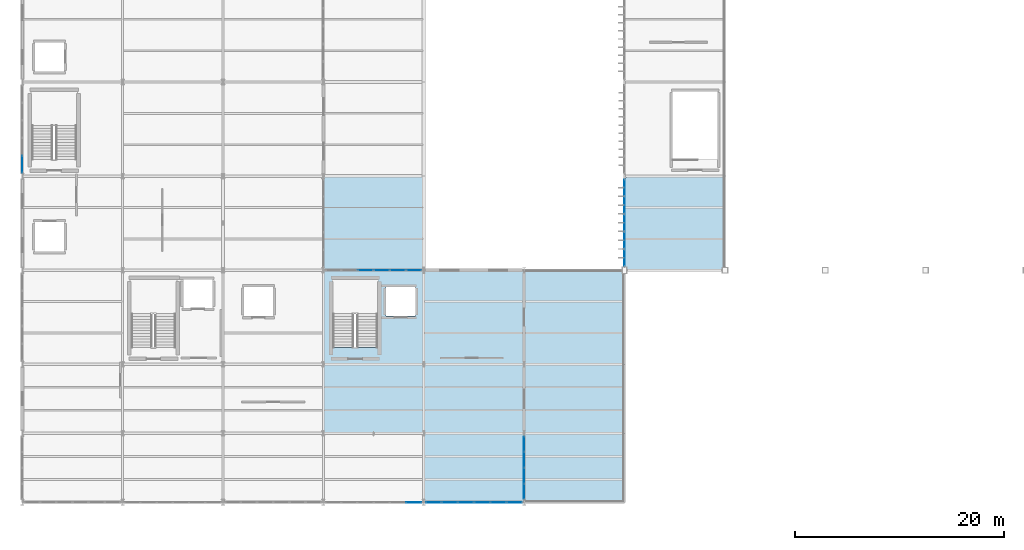
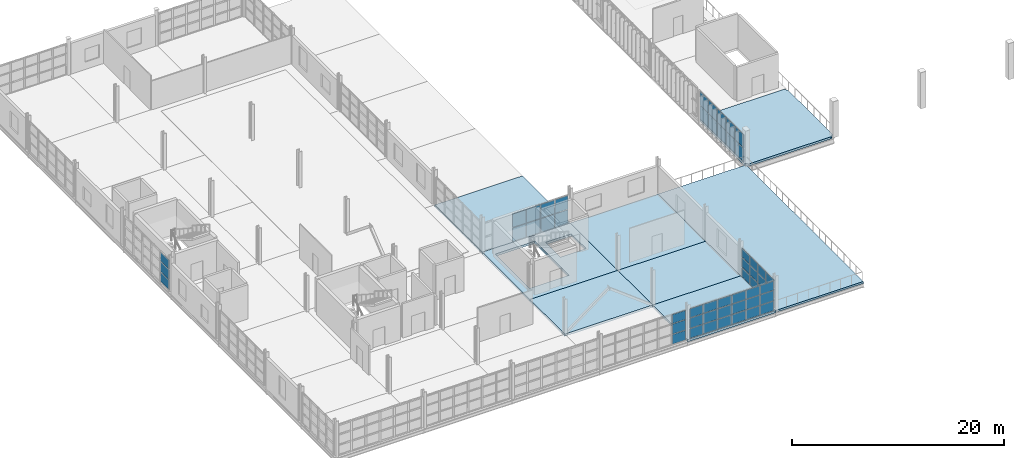
# One storey, part 50 of 82: 54 plates, 8 slabs, 6 elements without a shape of their own.
"""IFC4 building model written with IfcOpenShell, lengths in metres."""

from ifc_helpers import new_model, si_unit, direction, frame, origin, origin_2d, place, context, subcontext, project, spatial, polyline, rectangle, outline, extrude, material, layer, layer_set, type_object, element, aggregate, save


model = new_model("IFC4")

# Units and contexts
model_context = context("Model", 3, precision=1e-05, world=origin(), true_north=direction((0.0, 1.0)))
body_context = subcontext(model_context, "Body", "Model", "MODEL_VIEW")
ifc_project = project(units=[si_unit("LENGTHUNIT", "METRE"), si_unit("AREAUNIT", "SQUARE_METRE"), si_unit("VOLUMEUNIT", "CUBIC_METRE"), si_unit("PLANEANGLEUNIT", "RADIAN"), si_unit("MASSUNIT", "GRAM", prefix="KILO")], contexts=[model_context])

# Site, building, storey
site_placement = place(None, origin())
site = spatial("IfcSite", under=ifc_project, at=site_placement, CompositionType="ELEMENT")
building_placement = place(site_placement, origin())
building = spatial("IfcBuilding", under=site, at=building_placement, Name="Zarnetskaya Central Station", CompositionType="ELEMENT")
storey_placement = place(building_placement, frame((0.0, 0.0, 10.199951171875)))
storey = spatial("IfcBuildingStorey", under=building, at=storey_placement, Name="L02", CompositionType="ELEMENT", Elevation=10.199951171875)

# Curtain wall, plates
ifc_material_1 = material(Name="Low-E insulated glass", Category="glass")
ifc_layer_1 = layer(ifc_material_1, 0.159912109375, Name="Low-E insulated glass", Category="glass")
ifc_layer_set_1 = layer_set([ifc_layer_1], Name="Low-E insulated glass")
curtain_wall_type_1 = type_object("IfcCurtainWallType", Name="CW-SYS-06", PredefinedType="USERDEFINED", material=ifc_layer_set_1)
curtain_wall_1_placement = place(storey_placement, origin())
curtain_wall_1 = element("IfcCurtainWall", 1, at=curtain_wall_1_placement, inside=storey, type_object=curtain_wall_type_1, Name="Curtain wall CW-L02-025", ObjectType="CURTAIN WALL", PredefinedType="USERDEFINED")
ifc_layer_2 = layer(ifc_material_1, 0.028076171875, Name="Low-E insulated glass", Category="glass")
ifc_layer_set_2 = layer_set([ifc_layer_2], Name="Low-E insulated glass")
plate_type_1 = type_object("IfcPlateType", Name="CW-PAN-28", PredefinedType="CURTAIN_PANEL", material=ifc_layer_set_2)
plate_1_placement = place(storey_placement, frame((48.0, 5.5732421875, 0.06982421875), z_axis=(0.0, 0.0, 1.0), x_axis=(0.0, -1.0, 0.0)))
plate_1 = element("IfcPlate", 2, at=plate_1_placement, type_object=plate_type_1, Name="CW-02 panel 1.1", PredefinedType="CURTAIN_PANEL", context=body_context, shape_type="SweptSolid", body=[
    extrude(rectangle(XDim=1.413818359375, YDim=0.028076171875, at=origin_2d()), origin(), (0.0, 0.0, 1.0), 1.068115234375),
])
plate_2_placement = place(storey_placement, frame((48.0, 5.5732421875, 1.2080078125), z_axis=(0.0, 0.0, 1.0), x_axis=(0.0, -1.0, 0.0)))
plate_2 = element("IfcPlate", 3, at=plate_2_placement, type_object=plate_type_1, Name="CW-02 panel 1.2", PredefinedType="CURTAIN_PANEL", context=body_context, shape_type="SweptSolid", body=[
    extrude(rectangle(XDim=1.413818359375, YDim=0.028076171875, at=origin_2d()), origin(), (0.0, 0.0, 1.0), 1.10302734375),
])
plate_3_placement = place(storey_placement, frame((48.0, 5.5732421875, 2.381103515625), z_axis=(0.0, 0.0, 1.0), x_axis=(0.0, -1.0, 0.0)))
plate_3 = element("IfcPlate", 4, at=plate_3_placement, type_object=plate_type_1, Name="CW-02 panel 1.3", PredefinedType="CURTAIN_PANEL", context=body_context, shape_type="SweptSolid", body=[
    extrude(rectangle(XDim=1.413818359375, YDim=0.028076171875, at=origin_2d()), origin(), (0.0, 0.0, 1.0), 0.9990234375),
])
plate_4_placement = place(storey_placement, frame((48.0, 4.07177734375, 0.06982421875), z_axis=(0.0, 0.0, 1.0), x_axis=(0.0, -1.0, 0.0)))
plate_4 = element("IfcPlate", 5, at=plate_4_placement, type_object=plate_type_1, Name="CW-02 panel 2.1", PredefinedType="CURTAIN_PANEL", context=body_context, shape_type="SweptSolid", body=[
    extrude(rectangle(XDim=1.44873046875, YDim=0.028076171875, at=origin_2d()), origin(), (0.0, 0.0, 1.0), 1.068115234375),
])
plate_5_placement = place(storey_placement, frame((48.0, 4.07177734375, 1.2080078125), z_axis=(0.0, 0.0, 1.0), x_axis=(0.0, -1.0, 0.0)))
plate_5 = element("IfcPlate", 6, at=plate_5_placement, type_object=plate_type_1, Name="CW-02 panel 2.2", PredefinedType="CURTAIN_PANEL", context=body_context, shape_type="SweptSolid", body=[
    extrude(rectangle(XDim=1.44873046875, YDim=0.028076171875, at=origin_2d()), origin(), (0.0, 0.0, 1.0), 1.10302734375),
])
plate_6_placement = place(storey_placement, frame((48.0, 4.07177734375, 2.381103515625), z_axis=(0.0, 0.0, 1.0), x_axis=(0.0, -1.0, 0.0)))
plate_6 = element("IfcPlate", 7, at=plate_6_placement, type_object=plate_type_1, Name="CW-02 panel 2.3", PredefinedType="CURTAIN_PANEL", context=body_context, shape_type="SweptSolid", body=[
    extrude(rectangle(XDim=1.44873046875, YDim=0.028076171875, at=origin_2d()), origin(), (0.0, 0.0, 1.0), 0.9990234375),
])
plate_7_placement = place(storey_placement, frame((48.0, 2.55322265625, 0.06982421875), z_axis=(0.0, 0.0, 1.0), x_axis=(0.0, -1.0, 0.0)))
plate_7 = element("IfcPlate", 8, at=plate_7_placement, type_object=plate_type_1, Name="CW-02 panel 3.1", PredefinedType="CURTAIN_PANEL", context=body_context, shape_type="SweptSolid", body=[
    extrude(rectangle(XDim=1.44873046875, YDim=0.028076171875, at=origin_2d()), origin(), (0.0, 0.0, 1.0), 1.068115234375),
])
plate_8_placement = place(storey_placement, frame((48.0, 2.55322265625, 1.2080078125), z_axis=(0.0, 0.0, 1.0), x_axis=(0.0, -1.0, 0.0)))
plate_8 = element("IfcPlate", 9, at=plate_8_placement, type_object=plate_type_1, Name="CW-02 panel 3.2", PredefinedType="CURTAIN_PANEL", context=body_context, shape_type="SweptSolid", body=[
    extrude(rectangle(XDim=1.44873046875, YDim=0.028076171875, at=origin_2d()), origin(), (0.0, 0.0, 1.0), 1.10302734375),
])
plate_9_placement = place(storey_placement, frame((48.0, 2.55322265625, 2.381103515625), z_axis=(0.0, 0.0, 1.0), x_axis=(0.0, -1.0, 0.0)))
plate_9 = element("IfcPlate", 10, at=plate_9_placement, type_object=plate_type_1, Name="CW-02 panel 3.3", PredefinedType="CURTAIN_PANEL", context=body_context, shape_type="SweptSolid", body=[
    extrude(rectangle(XDim=1.44873046875, YDim=0.028076171875, at=origin_2d()), origin(), (0.0, 0.0, 1.0), 0.9990234375),
])
plate_10_placement = place(storey_placement, frame((48.0, 1.0517578125, 0.06982421875), z_axis=(0.0, 0.0, 1.0), x_axis=(0.0, -1.0, 0.0)))
plate_10 = element("IfcPlate", 11, at=plate_10_placement, type_object=plate_type_1, Name="CW-02 panel 4.1", PredefinedType="CURTAIN_PANEL", context=body_context, shape_type="SweptSolid", body=[
    extrude(rectangle(XDim=1.413818359375, YDim=0.028076171875, at=origin_2d()), origin(), (0.0, 0.0, 1.0), 1.068115234375),
])
plate_11_placement = place(storey_placement, frame((48.0, 1.0517578125, 1.2080078125), z_axis=(0.0, 0.0, 1.0), x_axis=(0.0, -1.0, 0.0)))
plate_11 = element("IfcPlate", 12, at=plate_11_placement, type_object=plate_type_1, Name="CW-02 panel 4.2", PredefinedType="CURTAIN_PANEL", context=body_context, shape_type="SweptSolid", body=[
    extrude(rectangle(XDim=1.413818359375, YDim=0.028076171875, at=origin_2d()), origin(), (0.0, 0.0, 1.0), 1.10302734375),
])
plate_12_placement = place(storey_placement, frame((48.0, 1.0517578125, 2.381103515625), z_axis=(0.0, 0.0, 1.0), x_axis=(0.0, -1.0, 0.0)))
plate_12 = element("IfcPlate", 13, at=plate_12_placement, type_object=plate_type_1, Name="CW-02 panel 4.3", PredefinedType="CURTAIN_PANEL", context=body_context, shape_type="SweptSolid", body=[
    extrude(rectangle(XDim=1.413818359375, YDim=0.028076171875, at=origin_2d()), origin(), (0.0, 0.0, 1.0), 0.9990234375),
])
aggregate(curtain_wall_1, [plate_1, plate_2, plate_3, plate_4, plate_5, plate_6, plate_7, plate_8, plate_9, plate_10, plate_11, plate_12])

ifc_layer_3 = layer(ifc_material_1, 0.172119140625, Name="Low-E insulated glass", Category="glass")
ifc_layer_set_3 = layer_set([ifc_layer_3], Name="Low-E insulated glass")
curtain_wall_type_2 = type_object("IfcCurtainWallType", Name="CW-SYS-04", PredefinedType="USERDEFINED", material=ifc_layer_set_3)
curtain_wall_2_placement = place(storey_placement, origin())
curtain_wall_2 = element("IfcCurtainWall", 14, at=curtain_wall_2_placement, inside=storey, type_object=curtain_wall_type_2, Name="Curtain wall CW-L02-026", ObjectType="CURTAIN WALL", PredefinedType="USERDEFINED")
ifc_layer_4 = layer(ifc_material_1, 0.031982421875, Name="Low-E insulated glass", Category="glass")
ifc_layer_set_4 = layer_set([ifc_layer_4], Name="Low-E insulated glass")
plate_type_2 = type_object("IfcPlateType", Name="CW-PAN-32", PredefinedType="CURTAIN_PANEL", material=ifc_layer_set_4)
plate_13_placement = place(storey_placement, frame((47.054931640625, 0.0, 0.080078125), z_axis=(0.0, 0.0, 1.0), x_axis=(-1.0, 0.0, 0.0)))
plate_13 = element("IfcPlate", 15, at=plate_13_placement, type_object=plate_type_2, Name="CW-15 panel 1.1", PredefinedType="CURTAIN_PANEL", context=body_context, shape_type="SweptSolid", body=[
    extrude(rectangle(XDim=1.429931640625, YDim=0.031982421875, at=origin_2d()), origin(), (0.0, 0.0, 1.0), 1.0869140625),
])
plate_14_placement = place(storey_placement, frame((47.054931640625, 0.0, 1.2470703125), z_axis=(0.0, 0.0, 1.0), x_axis=(-1.0, 0.0, 0.0)))
plate_14 = element("IfcPlate", 16, at=plate_14_placement, type_object=plate_type_2, Name="CW-15 panel 1.2", PredefinedType="CURTAIN_PANEL", context=body_context, shape_type="SweptSolid", body=[
    extrude(rectangle(XDim=1.429931640625, YDim=0.031982421875, at=origin_2d()), origin(), (0.0, 0.0, 1.0), 1.126953125),
])
plate_15_placement = place(storey_placement, frame((47.054931640625, 0.0, 2.4541015625), z_axis=(0.0, 0.0, 1.0), x_axis=(-1.0, 0.0, 0.0)))
plate_15 = element("IfcPlate", 17, at=plate_15_placement, type_object=plate_type_2, Name="CW-15 panel 1.3", PredefinedType="CURTAIN_PANEL", context=body_context, shape_type="SweptSolid", body=[
    extrude(rectangle(XDim=1.429931640625, YDim=0.031982421875, at=origin_2d()), origin(), (0.0, 0.0, 1.0), 1.01611328125),
])
plate_16_placement = place(storey_placement, frame((45.52490234375, 0.0, 0.080078125), z_axis=(0.0, 0.0, 1.0), x_axis=(-1.0, 0.0, 0.0)))
plate_16 = element("IfcPlate", 18, at=plate_16_placement, type_object=plate_type_2, Name="CW-15 panel 2.1", PredefinedType="CURTAIN_PANEL", context=body_context, shape_type="SweptSolid", body=[
    extrude(rectangle(XDim=1.469970703125, YDim=0.031982421875, at=origin_2d()), origin(), (0.0, 0.0, 1.0), 1.0869140625),
])
plate_17_placement = place(storey_placement, frame((45.52490234375, 0.0, 1.2470703125), z_axis=(0.0, 0.0, 1.0), x_axis=(-1.0, 0.0, 0.0)))
plate_17 = element("IfcPlate", 19, at=plate_17_placement, type_object=plate_type_2, Name="CW-15 panel 2.2", PredefinedType="CURTAIN_PANEL", context=body_context, shape_type="SweptSolid", body=[
    extrude(rectangle(XDim=1.469970703125, YDim=0.031982421875, at=origin_2d()), origin(), (0.0, 0.0, 1.0), 1.126953125),
])
plate_18_placement = place(storey_placement, frame((45.52490234375, 0.0, 2.4541015625), z_axis=(0.0, 0.0, 1.0), x_axis=(-1.0, 0.0, 0.0)))
plate_18 = element("IfcPlate", 20, at=plate_18_placement, type_object=plate_type_2, Name="CW-15 panel 2.3", PredefinedType="CURTAIN_PANEL", context=body_context, shape_type="SweptSolid", body=[
    extrude(rectangle(XDim=1.469970703125, YDim=0.031982421875, at=origin_2d()), origin(), (0.0, 0.0, 1.0), 1.01611328125),
])
plate_19_placement = place(storey_placement, frame((43.97509765625, 0.0, 0.080078125), z_axis=(0.0, 0.0, 1.0), x_axis=(-1.0, 0.0, 0.0)))
plate_19 = element("IfcPlate", 21, at=plate_19_placement, type_object=plate_type_2, Name="CW-15 panel 3.1", PredefinedType="CURTAIN_PANEL", context=body_context, shape_type="SweptSolid", body=[
    extrude(rectangle(XDim=1.469970703125, YDim=0.031982421875, at=origin_2d()), origin(), (0.0, 0.0, 1.0), 1.0869140625),
])
plate_20_placement = place(storey_placement, frame((43.97509765625, 0.0, 1.2470703125), z_axis=(0.0, 0.0, 1.0), x_axis=(-1.0, 0.0, 0.0)))
plate_20 = element("IfcPlate", 22, at=plate_20_placement, type_object=plate_type_2, Name="CW-15 panel 3.2", PredefinedType="CURTAIN_PANEL", context=body_context, shape_type="SweptSolid", body=[
    extrude(rectangle(XDim=1.469970703125, YDim=0.031982421875, at=origin_2d()), origin(), (0.0, 0.0, 1.0), 1.126953125),
])
plate_21_placement = place(storey_placement, frame((43.97509765625, 0.0, 2.4541015625), z_axis=(0.0, 0.0, 1.0), x_axis=(-1.0, 0.0, 0.0)))
plate_21 = element("IfcPlate", 23, at=plate_21_placement, type_object=plate_type_2, Name="CW-15 panel 3.3", PredefinedType="CURTAIN_PANEL", context=body_context, shape_type="SweptSolid", body=[
    extrude(rectangle(XDim=1.469970703125, YDim=0.031982421875, at=origin_2d()), origin(), (0.0, 0.0, 1.0), 1.01611328125),
])
plate_22_placement = place(storey_placement, frame((42.425048828125, 0.0, 0.080078125), z_axis=(0.0, 0.0, 1.0), x_axis=(-1.0, 0.0, 0.0)))
plate_22 = element("IfcPlate", 24, at=plate_22_placement, type_object=plate_type_2, Name="CW-15 panel 4.1", PredefinedType="CURTAIN_PANEL", context=body_context, shape_type="SweptSolid", body=[
    extrude(rectangle(XDim=1.469970703125, YDim=0.031982421875, at=origin_2d()), origin(), (0.0, 0.0, 1.0), 1.0869140625),
])
plate_23_placement = place(storey_placement, frame((42.425048828125, 0.0, 1.2470703125), z_axis=(0.0, 0.0, 1.0), x_axis=(-1.0, 0.0, 0.0)))
plate_23 = element("IfcPlate", 25, at=plate_23_placement, type_object=plate_type_2, Name="CW-15 panel 4.2", PredefinedType="CURTAIN_PANEL", context=body_context, shape_type="SweptSolid", body=[
    extrude(rectangle(XDim=1.469970703125, YDim=0.031982421875, at=origin_2d()), origin(), (0.0, 0.0, 1.0), 1.126953125),
])
plate_24_placement = place(storey_placement, frame((42.425048828125, 0.0, 2.4541015625), z_axis=(0.0, 0.0, 1.0), x_axis=(-1.0, 0.0, 0.0)))
plate_24 = element("IfcPlate", 26, at=plate_24_placement, type_object=plate_type_2, Name="CW-15 panel 4.3", PredefinedType="CURTAIN_PANEL", context=body_context, shape_type="SweptSolid", body=[
    extrude(rectangle(XDim=1.469970703125, YDim=0.031982421875, at=origin_2d()), origin(), (0.0, 0.0, 1.0), 1.01611328125),
])
plate_25_placement = place(storey_placement, frame((40.875, 0.0, 0.080078125), z_axis=(0.0, 0.0, 1.0), x_axis=(-1.0, 0.0, 0.0)))
plate_25 = element("IfcPlate", 27, at=plate_25_placement, type_object=plate_type_2, Name="CW-15 panel 5.1", PredefinedType="CURTAIN_PANEL", context=body_context, shape_type="SweptSolid", body=[
    extrude(rectangle(XDim=1.469970703125, YDim=0.031982421875, at=origin_2d()), origin(), (0.0, 0.0, 1.0), 1.0869140625),
])
plate_26_placement = place(storey_placement, frame((40.875, 0.0, 1.2470703125), z_axis=(0.0, 0.0, 1.0), x_axis=(-1.0, 0.0, 0.0)))
plate_26 = element("IfcPlate", 28, at=plate_26_placement, type_object=plate_type_2, Name="CW-15 panel 5.2", PredefinedType="CURTAIN_PANEL", context=body_context, shape_type="SweptSolid", body=[
    extrude(rectangle(XDim=1.469970703125, YDim=0.031982421875, at=origin_2d()), origin(), (0.0, 0.0, 1.0), 1.126953125),
])
plate_27_placement = place(storey_placement, frame((40.875, 0.0, 2.4541015625), z_axis=(0.0, 0.0, 1.0), x_axis=(-1.0, 0.0, 0.0)))
plate_27 = element("IfcPlate", 29, at=plate_27_placement, type_object=plate_type_2, Name="CW-15 panel 5.3", PredefinedType="CURTAIN_PANEL", context=body_context, shape_type="SweptSolid", body=[
    extrude(rectangle(XDim=1.469970703125, YDim=0.031982421875, at=origin_2d()), origin(), (0.0, 0.0, 1.0), 1.01611328125),
])
plate_28_placement = place(storey_placement, frame((39.344970703125, 0.0, 0.080078125), z_axis=(0.0, 0.0, 1.0), x_axis=(-1.0, 0.0, 0.0)))
plate_28 = element("IfcPlate", 30, at=plate_28_placement, type_object=plate_type_2, Name="CW-15 panel 6.1", PredefinedType="CURTAIN_PANEL", context=body_context, shape_type="SweptSolid", body=[
    extrude(rectangle(XDim=1.429931640625, YDim=0.031982421875, at=origin_2d()), origin(), (0.0, 0.0, 1.0), 1.0869140625),
])
plate_29_placement = place(storey_placement, frame((39.344970703125, 0.0, 1.2470703125), z_axis=(0.0, 0.0, 1.0), x_axis=(-1.0, 0.0, 0.0)))
plate_29 = element("IfcPlate", 31, at=plate_29_placement, type_object=plate_type_2, Name="CW-15 panel 6.2", PredefinedType="CURTAIN_PANEL", context=body_context, shape_type="SweptSolid", body=[
    extrude(rectangle(XDim=1.429931640625, YDim=0.031982421875, at=origin_2d()), origin(), (0.0, 0.0, 1.0), 1.126953125),
])
plate_30_placement = place(storey_placement, frame((39.344970703125, 0.0, 2.4541015625), z_axis=(0.0, 0.0, 1.0), x_axis=(-1.0, 0.0, 0.0)))
plate_30 = element("IfcPlate", 32, at=plate_30_placement, type_object=plate_type_2, Name="CW-15 panel 6.3", PredefinedType="CURTAIN_PANEL", context=body_context, shape_type="SweptSolid", body=[
    extrude(rectangle(XDim=1.429931640625, YDim=0.031982421875, at=origin_2d()), origin(), (0.0, 0.0, 1.0), 1.01611328125),
])
aggregate(curtain_wall_2, [plate_13, plate_14, plate_15, plate_16, plate_17, plate_18, plate_19, plate_20, plate_21, plate_22, plate_23, plate_24, plate_25, plate_26, plate_27, plate_28, plate_29, plate_30])

ifc_layer_5 = layer(ifc_material_1, 0.16796875, Name="Low-E insulated glass", Category="glass")
ifc_layer_set_5 = layer_set([ifc_layer_5], Name="Low-E insulated glass")
curtain_wall_type_3 = type_object("IfcCurtainWallType", Name="CW-SYS-08", PredefinedType="USERDEFINED", material=ifc_layer_set_5)
curtain_wall_3_placement = place(storey_placement, origin())
curtain_wall_3 = element("IfcCurtainWall", 33, at=curtain_wall_3_placement, inside=storey, type_object=curtain_wall_type_3, Name="Curtain wall CW-L02-017", ObjectType="CURTAIN WALL", PredefinedType="USERDEFINED")
ifc_layer_6 = layer(ifc_material_1, 0.035888671875, Name="Low-E insulated glass", Category="glass")
ifc_layer_set_6 = layer_set([ifc_layer_6], Name="Low-E insulated glass")
plate_type_3 = type_object("IfcPlateType", Name="CW-PAN-36", PredefinedType="CURTAIN_PANEL", material=ifc_layer_set_6)
plate_31_placement = place(storey_placement, frame((0.0, 32.33740234375, 0.070068359375), z_axis=(0.0, 0.0, 1.0), x_axis=(0.0, 1.0, 0.0)))
plate_31 = element("IfcPlate", 34, at=plate_31_placement, type_object=plate_type_3, Name="CW-16 panel 1.1", PredefinedType="CURTAIN_PANEL", context=body_context, shape_type="SweptSolid", body=[
    extrude(rectangle(XDim=1.5849609375, YDim=0.035888671875, at=origin_2d()), origin(), (0.0, 0.0, 1.0), 1.10205078125),
])
plate_32_placement = place(storey_placement, frame((0.0, 32.33740234375, 1.2421875), z_axis=(0.0, 0.0, 1.0), x_axis=(0.0, 1.0, 0.0)))
plate_32 = element("IfcPlate", 35, at=plate_32_placement, type_object=plate_type_3, Name="CW-16 panel 1.2", PredefinedType="CURTAIN_PANEL", context=body_context, shape_type="SweptSolid", body=[
    extrude(rectangle(XDim=1.5849609375, YDim=0.035888671875, at=origin_2d()), origin(), (0.0, 0.0, 1.0), 1.136962890625),
])
plate_33_placement = place(storey_placement, frame((0.0, 32.33740234375, 2.44921875), z_axis=(0.0, 0.0, 1.0), x_axis=(0.0, 1.0, 0.0)))
plate_33 = element("IfcPlate", 36, at=plate_33_placement, type_object=plate_type_3, Name="CW-16 panel 1.3", PredefinedType="CURTAIN_PANEL", context=body_context, shape_type="SweptSolid", body=[
    extrude(rectangle(XDim=1.5849609375, YDim=0.035888671875, at=origin_2d()), origin(), (0.0, 0.0, 1.0), 1.031005859375),
])
aggregate(curtain_wall_3, [plate_31, plate_32, plate_33])

ifc_layer_7 = layer(ifc_material_1, 0.176025390625, Name="Low-E insulated glass", Category="glass")
ifc_layer_set_7 = layer_set([ifc_layer_7], Name="Low-E insulated glass")
curtain_wall_type_4 = type_object("IfcCurtainWallType", Name="CW-SYS-05", PredefinedType="USERDEFINED", material=ifc_layer_set_7)
curtain_wall_4_placement = place(storey_placement, origin())
curtain_wall_4 = element("IfcCurtainWall", 37, at=curtain_wall_4_placement, inside=storey, type_object=curtain_wall_type_4, Name="Curtain wall CW-L02-027", ObjectType="CURTAIN WALL", PredefinedType="USERDEFINED")
plate_34_placement = place(storey_placement, frame((37.45751953125, 0.0, 0.070068359375), z_axis=(0.0, 0.0, 1.0), x_axis=(-1.0, 0.0, 0.0)))
plate_34 = element("IfcPlate", 38, at=plate_34_placement, type_object=plate_type_3, Name="CW-14 panel 1.1", PredefinedType="CURTAIN_PANEL", context=body_context, shape_type="SweptSolid", body=[
    extrude(rectangle(XDim=1.445068359375, YDim=0.035888671875, at=origin_2d()), origin(), (0.0, 0.0, 1.0), 1.10205078125),
])
plate_35_placement = place(storey_placement, frame((37.45751953125, 0.0, 1.2421875), z_axis=(0.0, 0.0, 1.0), x_axis=(-1.0, 0.0, 0.0)))
plate_35 = element("IfcPlate", 39, at=plate_35_placement, type_object=plate_type_3, Name="CW-14 panel 1.2", PredefinedType="CURTAIN_PANEL", context=body_context, shape_type="SweptSolid", body=[
    extrude(rectangle(XDim=1.445068359375, YDim=0.035888671875, at=origin_2d()), origin(), (0.0, 0.0, 1.0), 1.136962890625),
])
plate_36_placement = place(storey_placement, frame((37.45751953125, 0.0, 2.44921875), z_axis=(0.0, 0.0, 1.0), x_axis=(-1.0, 0.0, 0.0)))
plate_36 = element("IfcPlate", 40, at=plate_36_placement, type_object=plate_type_3, Name="CW-14 panel 1.3", PredefinedType="CURTAIN_PANEL", context=body_context, shape_type="SweptSolid", body=[
    extrude(rectangle(XDim=1.445068359375, YDim=0.035888671875, at=origin_2d()), origin(), (0.0, 0.0, 1.0), 1.031005859375),
])
aggregate(curtain_wall_4, [plate_34, plate_35, plate_36])

ifc_layer_8 = layer(ifc_material_1, 0.176025390625, Name="Low-E insulated glass", Category="glass")
ifc_layer_set_8 = layer_set([ifc_layer_8], Name="Low-E insulated glass")
curtain_wall_type_5 = type_object("IfcCurtainWallType", Name="CW-SYS-15", PredefinedType="USERDEFINED", material=ifc_layer_set_8)
curtain_wall_5_placement = place(storey_placement, origin())
curtain_wall_5 = element("IfcCurtainWall", 41, at=curtain_wall_5_placement, inside=storey, type_object=curtain_wall_type_5, Name="Curtain wall CW-L02-088", ObjectType="CURTAIN WALL", PredefinedType="USERDEFINED")
ifc_layer_9 = layer(ifc_material_1, 0.0400390625, Name="Low-E insulated glass", Category="glass")
ifc_layer_set_9 = layer_set([ifc_layer_9], Name="Low-E insulated glass")
plate_type_4 = type_object("IfcPlateType", Name="CW-PAN-40", PredefinedType="CURTAIN_PANEL", material=ifc_layer_set_9)
plate_37_placement = place(storey_placement, frame((57.60009765625, 23.409912109375, 0.080078125), z_axis=(0.0, 0.0, 1.0), x_axis=(0.0, 1.0, 0.0)))
plate_37 = element("IfcPlate", 42, at=plate_37_placement, type_object=plate_type_4, Name="CW-05 panel 1.1", PredefinedType="CURTAIN_PANEL", context=body_context, shape_type="SweptSolid", body=[
    extrude(rectangle(XDim=1.56005859375, YDim=0.0400390625, at=origin_2d()), origin(), (0.0, 0.0, 1.0), 1.530029296875),
])
plate_38_placement = place(storey_placement, frame((57.60009765625, 23.409912109375, 1.68994140625), z_axis=(0.0, 0.0, 1.0), x_axis=(0.0, 1.0, 0.0)))
plate_38 = element("IfcPlate", 43, at=plate_38_placement, type_object=plate_type_4, Name="CW-05 panel 1.2", PredefinedType="CURTAIN_PANEL", context=body_context, shape_type="SweptSolid", body=[
    extrude(rectangle(XDim=1.56005859375, YDim=0.0400390625, at=origin_2d()), origin(), (0.0, 0.0, 1.0), 1.530029296875),
])
plate_39_placement = place(storey_placement, frame((57.60009765625, 25.070068359375, 0.080078125), z_axis=(0.0, 0.0, 1.0), x_axis=(0.0, 1.0, 0.0)))
plate_39 = element("IfcPlate", 44, at=plate_39_placement, type_object=plate_type_4, Name="CW-05 panel 2.1", PredefinedType="CURTAIN_PANEL", context=body_context, shape_type="SweptSolid", body=[
    extrude(rectangle(XDim=1.60009765625, YDim=0.0400390625, at=origin_2d()), origin(), (0.0, 0.0, 1.0), 1.530029296875),
])
plate_40_placement = place(storey_placement, frame((57.60009765625, 25.070068359375, 1.68994140625), z_axis=(0.0, 0.0, 1.0), x_axis=(0.0, 1.0, 0.0)))
plate_40 = element("IfcPlate", 45, at=plate_40_placement, type_object=plate_type_4, Name="CW-05 panel 2.2", PredefinedType="CURTAIN_PANEL", context=body_context, shape_type="SweptSolid", body=[
    extrude(rectangle(XDim=1.60009765625, YDim=0.0400390625, at=origin_2d()), origin(), (0.0, 0.0, 1.0), 1.530029296875),
])
plate_41_placement = place(storey_placement, frame((57.60009765625, 26.75, 0.080078125), z_axis=(0.0, 0.0, 1.0), x_axis=(0.0, 1.0, 0.0)))
plate_41 = element("IfcPlate", 46, at=plate_41_placement, type_object=plate_type_4, Name="CW-05 panel 3.1", PredefinedType="CURTAIN_PANEL", context=body_context, shape_type="SweptSolid", body=[
    extrude(rectangle(XDim=1.60009765625, YDim=0.0400390625, at=origin_2d()), origin(), (0.0, 0.0, 1.0), 1.530029296875),
])
plate_42_placement = place(storey_placement, frame((57.60009765625, 26.75, 1.68994140625), z_axis=(0.0, 0.0, 1.0), x_axis=(0.0, 1.0, 0.0)))
plate_42 = element("IfcPlate", 47, at=plate_42_placement, type_object=plate_type_4, Name="CW-05 panel 3.2", PredefinedType="CURTAIN_PANEL", context=body_context, shape_type="SweptSolid", body=[
    extrude(rectangle(XDim=1.60009765625, YDim=0.0400390625, at=origin_2d()), origin(), (0.0, 0.0, 1.0), 1.530029296875),
])
plate_43_placement = place(storey_placement, frame((57.60009765625, 28.429931640625, 0.080078125), z_axis=(0.0, 0.0, 1.0), x_axis=(0.0, 1.0, 0.0)))
plate_43 = element("IfcPlate", 48, at=plate_43_placement, type_object=plate_type_4, Name="CW-05 panel 4.1", PredefinedType="CURTAIN_PANEL", context=body_context, shape_type="SweptSolid", body=[
    extrude(rectangle(XDim=1.60009765625, YDim=0.0400390625, at=origin_2d()), origin(), (0.0, 0.0, 1.0), 1.530029296875),
])
plate_44_placement = place(storey_placement, frame((57.60009765625, 28.429931640625, 1.68994140625), z_axis=(0.0, 0.0, 1.0), x_axis=(0.0, 1.0, 0.0)))
plate_44 = element("IfcPlate", 49, at=plate_44_placement, type_object=plate_type_4, Name="CW-05 panel 4.2", PredefinedType="CURTAIN_PANEL", context=body_context, shape_type="SweptSolid", body=[
    extrude(rectangle(XDim=1.60009765625, YDim=0.0400390625, at=origin_2d()), origin(), (0.0, 0.0, 1.0), 1.530029296875),
])
plate_45_placement = place(storey_placement, frame((57.60009765625, 30.090087890625, 0.080078125), z_axis=(0.0, 0.0, 1.0), x_axis=(0.0, 1.0, 0.0)))
plate_45 = element("IfcPlate", 50, at=plate_45_placement, type_object=plate_type_4, Name="CW-05 panel 5.1", PredefinedType="CURTAIN_PANEL", context=body_context, shape_type="SweptSolid", body=[
    extrude(rectangle(XDim=1.56005859375, YDim=0.0400390625, at=origin_2d()), origin(), (0.0, 0.0, 1.0), 1.530029296875),
])
plate_46_placement = place(storey_placement, frame((57.60009765625, 30.090087890625, 1.68994140625), z_axis=(0.0, 0.0, 1.0), x_axis=(0.0, 1.0, 0.0)))
plate_46 = element("IfcPlate", 51, at=plate_46_placement, type_object=plate_type_4, Name="CW-05 panel 5.2", PredefinedType="CURTAIN_PANEL", context=body_context, shape_type="SweptSolid", body=[
    extrude(rectangle(XDim=1.56005859375, YDim=0.0400390625, at=origin_2d()), origin(), (0.0, 0.0, 1.0), 1.530029296875),
])
aggregate(curtain_wall_5, [plate_37, plate_38, plate_39, plate_40, plate_41, plate_42, plate_43, plate_44, plate_45, plate_46])

curtain_wall_6_placement = place(storey_placement, origin())
curtain_wall_6 = element("IfcCurtainWall", 52, at=curtain_wall_6_placement, inside=storey, type_object=curtain_wall_type_2, Name="Curtain wall CW-L02-024", ObjectType="CURTAIN WALL", PredefinedType="USERDEFINED")
ifc_layer_10 = layer(ifc_material_1, 0.0439453125, Name="Low-E insulated glass", Category="glass")
ifc_layer_set_10 = layer_set([ifc_layer_10], Name="Low-E insulated glass")
plate_type_5 = type_object("IfcPlateType", Name="CW-PAN-44", PredefinedType="CURTAIN_PANEL", material=ifc_layer_set_10)
plate_47_placement = place(storey_placement, frame((32.824951171875, 22.199951171875, 0.080078125), z_axis=(0.0, 0.0, 1.0), x_axis=(1.0, 0.0, 0.0)))
plate_47 = element("IfcPlate", 53, at=plate_47_placement, type_object=plate_type_5, Name="CW-15 panel 3.1", PredefinedType="CURTAIN_PANEL", context=body_context, shape_type="SweptSolid", body=[
    extrude(rectangle(XDim=1.469970703125, YDim=0.0439453125, at=origin_2d()), origin(), (0.0, 0.0, 1.0), 1.554931640625),
])
plate_48_placement = place(storey_placement, frame((32.824951171875, 22.199951171875, 1.71484375), z_axis=(0.0, 0.0, 1.0), x_axis=(1.0, 0.0, 0.0)))
plate_48 = element("IfcPlate", 54, at=plate_48_placement, type_object=plate_type_5, Name="CW-15 panel 3.2", PredefinedType="CURTAIN_PANEL", context=body_context, shape_type="SweptSolid", body=[
    extrude(rectangle(XDim=1.469970703125, YDim=0.0439453125, at=origin_2d()), origin(), (0.0, 0.0, 1.0), 1.554931640625),
])
plate_49_placement = place(storey_placement, frame((34.375, 22.199951171875, 0.080078125), z_axis=(0.0, 0.0, 1.0), x_axis=(1.0, 0.0, 0.0)))
plate_49 = element("IfcPlate", 55, at=plate_49_placement, type_object=plate_type_5, Name="CW-15 panel 4.1", PredefinedType="CURTAIN_PANEL", context=body_context, shape_type="SweptSolid", body=[
    extrude(rectangle(XDim=1.469970703125, YDim=0.0439453125, at=origin_2d()), origin(), (0.0, 0.0, 1.0), 1.554931640625),
])
plate_50_placement = place(storey_placement, frame((34.375, 22.199951171875, 1.71484375), z_axis=(0.0, 0.0, 1.0), x_axis=(1.0, 0.0, 0.0)))
plate_50 = element("IfcPlate", 56, at=plate_50_placement, type_object=plate_type_5, Name="CW-15 panel 4.2", PredefinedType="CURTAIN_PANEL", context=body_context, shape_type="SweptSolid", body=[
    extrude(rectangle(XDim=1.469970703125, YDim=0.0439453125, at=origin_2d()), origin(), (0.0, 0.0, 1.0), 1.554931640625),
])
plate_51_placement = place(storey_placement, frame((35.925048828125, 22.199951171875, 0.080078125), z_axis=(0.0, 0.0, 1.0), x_axis=(1.0, 0.0, 0.0)))
plate_51 = element("IfcPlate", 57, at=plate_51_placement, type_object=plate_type_5, Name="CW-15 panel 5.1", PredefinedType="CURTAIN_PANEL", context=body_context, shape_type="SweptSolid", body=[
    extrude(rectangle(XDim=1.469970703125, YDim=0.0439453125, at=origin_2d()), origin(), (0.0, 0.0, 1.0), 1.554931640625),
])
plate_52_placement = place(storey_placement, frame((35.925048828125, 22.199951171875, 1.71484375), z_axis=(0.0, 0.0, 1.0), x_axis=(1.0, 0.0, 0.0)))
plate_52 = element("IfcPlate", 58, at=plate_52_placement, type_object=plate_type_5, Name="CW-15 panel 5.2", PredefinedType="CURTAIN_PANEL", context=body_context, shape_type="SweptSolid", body=[
    extrude(rectangle(XDim=1.469970703125, YDim=0.0439453125, at=origin_2d()), origin(), (0.0, 0.0, 1.0), 1.554931640625),
])
plate_53_placement = place(storey_placement, frame((37.455078125, 22.199951171875, 0.080078125), z_axis=(0.0, 0.0, 1.0), x_axis=(1.0, 0.0, 0.0)))
plate_53 = element("IfcPlate", 59, at=plate_53_placement, type_object=plate_type_5, Name="CW-15 panel 6.1", PredefinedType="CURTAIN_PANEL", context=body_context, shape_type="SweptSolid", body=[
    extrude(rectangle(XDim=1.429931640625, YDim=0.0439453125, at=origin_2d()), origin(), (0.0, 0.0, 1.0), 1.554931640625),
])
plate_54_placement = place(storey_placement, frame((37.455078125, 22.199951171875, 1.71484375), z_axis=(0.0, 0.0, 1.0), x_axis=(1.0, 0.0, 0.0)))
plate_54 = element("IfcPlate", 60, at=plate_54_placement, type_object=plate_type_5, Name="CW-15 panel 6.2", PredefinedType="CURTAIN_PANEL", context=body_context, shape_type="SweptSolid", body=[
    extrude(rectangle(XDim=1.429931640625, YDim=0.0439453125, at=origin_2d()), origin(), (0.0, 0.0, 1.0), 1.554931640625),
])
aggregate(curtain_wall_6, [plate_47, plate_48, plate_49, plate_50, plate_51, plate_52, plate_53, plate_54])

# Slabs
ifc_material_2 = material(Name="Concrete C30/37", Category="concrete")
ifc_layer_11 = layer(ifc_material_2, 0.2099609375, Name="Concrete C30/37", Category="concrete")
ifc_layer_set_11 = layer_set([ifc_layer_11], Name="Concrete C30/37")
slab_type_1 = type_object("IfcSlabType", Name="ROOF-FLAT-210", PredefinedType="ROOF", material=ifc_layer_set_11)
slab_1_placement = place(storey_placement, frame((0.0, 0.0, -0.2099609375)))
element("IfcSlab", 61, at=slab_1_placement, inside=storey, type_object=slab_type_1, Name="L02 slab D-E/4-5", PredefinedType="ROOF", context=body_context, shape_type="SweptSolid", body=[
    extrude(outline(polyline([(28.800048828125, 22.199951171875), (38.39990234375, 22.199951171875), (38.39990234375, 31.199951171875), (28.800048828125, 31.199951171875), (28.800048828125, 22.199951171875)])), origin(), (0.0, 0.0, 1.0), 0.2099609375),
])
ifc_layer_12 = layer(ifc_material_2, 0.260009765625, Name="Concrete C30/37", Category="concrete")
ifc_layer_set_12 = layer_set([ifc_layer_12], Name="Concrete C30/37")
slab_type_2 = type_object("IfcSlabType", Name="SLAB-L02-260", PredefinedType="FLOOR", material=ifc_layer_set_12)
slab_2_placement = place(storey_placement, frame((0.0, 0.0, -0.260009765625)))
element("IfcSlab", 62, at=slab_2_placement, inside=storey, type_object=slab_type_2, Name="L02 slab D-E/2-3", PredefinedType="FLOOR", context=body_context, shape_type="SweptSolid", body=[
    extrude(outline(polyline([(28.800048828125, 6.60009765625), (38.39990234375, 6.60009765625), (38.39990234375, 13.199951171875), (28.800048828125, 13.199951171875), (28.800048828125, 6.60009765625)])), origin(), (0.0, 0.0, 1.0), 0.260009765625),
])
slab_3_placement = place(storey_placement, frame((0.0, 0.0, -0.260009765625)))
element("IfcSlab", 63, at=slab_3_placement, inside=storey, type_object=slab_type_2, Name="L02 slab D-E/3-4", PredefinedType="FLOOR", context=body_context, shape_type="SweptSolid", body=[
    extrude(outline(polyline([(28.800048828125, 13.199951171875), (38.39990234375, 13.199951171875), (38.39990234375, 22.199951171875), (28.800048828125, 22.199951171875), (28.800048828125, 13.199951171875)]), holes=[polyline([(29.699951171875, 14.804931640625), (34.0, 14.804931640625), (34.0, 21.300048828125), (29.699951171875, 21.300048828125), (29.699951171875, 14.804931640625)]), polyline([(34.800048828125, 17.800048828125), (37.60009765625, 17.800048828125), (37.60009765625, 20.60009765625), (34.800048828125, 20.60009765625), (34.800048828125, 17.800048828125)])]), origin(), (0.0, 0.0, 1.0), 0.260009765625),
])
slab_4_placement = place(storey_placement, frame((0.0, 0.0, -0.260009765625)))
element("IfcSlab", 64, at=slab_4_placement, inside=storey, type_object=slab_type_2, Name="L02 slab E-F/1-2", PredefinedType="FLOOR", context=body_context, shape_type="SweptSolid", body=[
    extrude(outline(polyline([(38.39990234375, 0.0), (48.0, 0.0), (48.0, 6.60009765625), (38.39990234375, 6.60009765625), (38.39990234375, 0.0)])), origin(), (0.0, 0.0, 1.0), 0.260009765625),
])
slab_5_placement = place(storey_placement, frame((0.0, 0.0, -0.260009765625)))
element("IfcSlab", 65, at=slab_5_placement, inside=storey, type_object=slab_type_2, Name="L02 slab E-F/2-3", PredefinedType="FLOOR", context=body_context, shape_type="SweptSolid", body=[
    extrude(outline(polyline([(38.39990234375, 6.60009765625), (48.0, 6.60009765625), (48.0, 13.199951171875), (38.39990234375, 13.199951171875), (38.39990234375, 6.60009765625)])), origin(), (0.0, 0.0, 1.0), 0.260009765625),
])
slab_6_placement = place(storey_placement, frame((0.0, 0.0, -0.260009765625)))
element("IfcSlab", 66, at=slab_6_placement, inside=storey, type_object=slab_type_2, Name="L02 slab E-F/3-4", PredefinedType="FLOOR", context=body_context, shape_type="SweptSolid", body=[
    extrude(outline(polyline([(38.39990234375, 13.199951171875), (48.0, 13.199951171875), (48.0, 22.199951171875), (38.39990234375, 22.199951171875), (38.39990234375, 13.199951171875)])), origin(), (0.0, 0.0, 1.0), 0.260009765625),
])
slab_7_placement = place(storey_placement, frame((0.0, 0.0, -0.260009765625)))
element("IfcSlab", 67, at=slab_7_placement, inside=storey, type_object=slab_type_2, Name="L02 slab G-H/4-5", PredefinedType="FLOOR", context=body_context, shape_type="SweptSolid", body=[
    extrude(outline(polyline([(57.89990234375, 22.199951171875), (66.89990234375, 22.199951171875), (67.199951171875, 22.5), (67.199951171875, 30.89990234375), (66.89990234375, 31.199951171875), (57.89990234375, 31.199951171875), (57.60009765625, 30.89990234375), (57.60009765625, 22.5), (57.89990234375, 22.199951171875)])), origin(), (0.0, 0.0, 1.0), 0.260009765625),
])
ifc_layer_13 = layer(ifc_material_2, 0.219970703125, Name="Concrete C30/37", Category="concrete")
ifc_layer_set_13 = layer_set([ifc_layer_13], Name="Concrete C30/37")
slab_type_3 = type_object("IfcSlabType", Name="SLAB-TER-220", PredefinedType="FLOOR", material=ifc_layer_set_13)
slab_8_placement = place(storey_placement, frame((0.0, 0.0, -0.219970703125)))
element("IfcSlab", 68, at=slab_8_placement, inside=storey, type_object=slab_type_3, Name="Operations L02 outdoor terrace slab", PredefinedType="FLOOR", context=body_context, shape_type="SweptSolid", body=[
    extrude(outline(polyline([(48.0, 0.0), (57.60009765625, 0.0), (57.60009765625, 22.199951171875), (48.0, 22.199951171875), (48.0, 0.0)])), origin(), (0.0, 0.0, 1.0), 0.219970703125),
])

save(model, "model.ifc")
